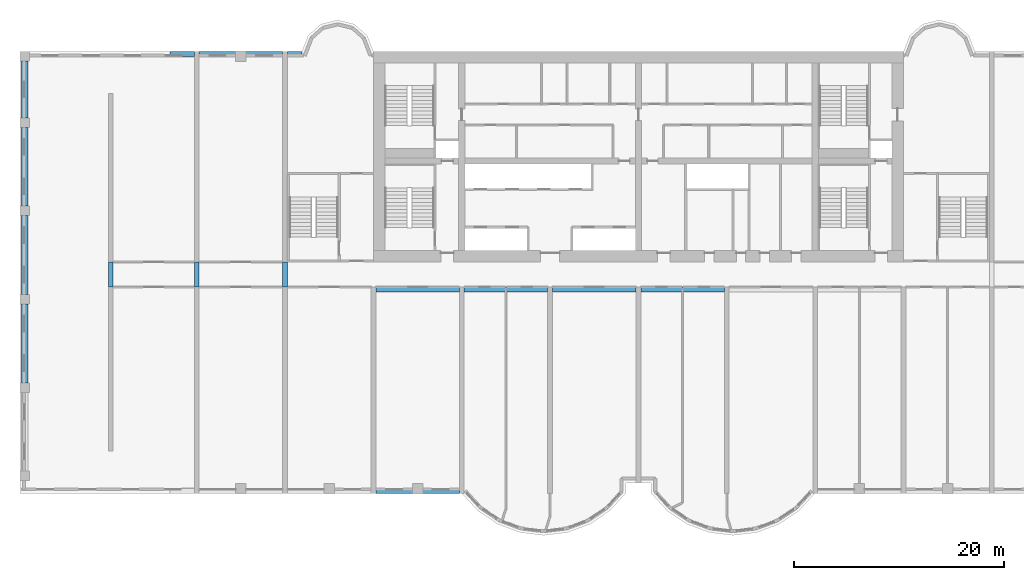
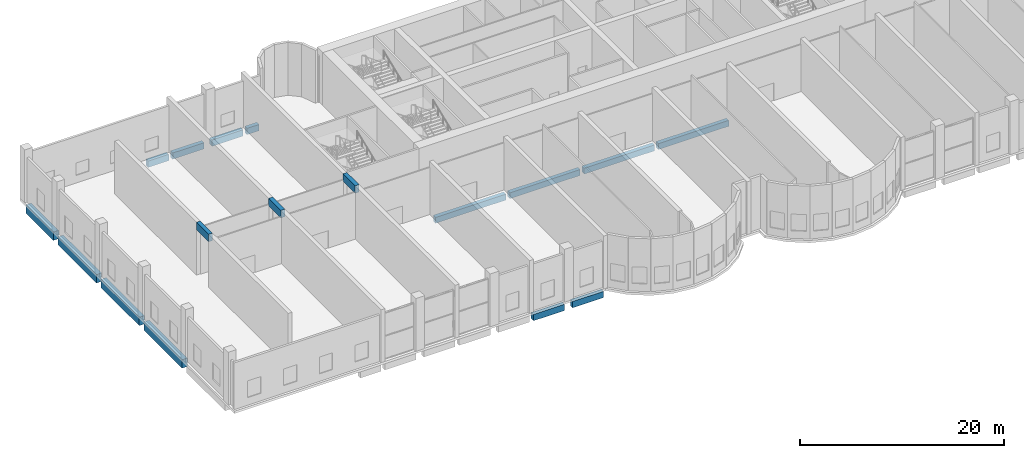
# One storey, part 3 of 15: 17 beams.
"""IFC4 building model written with IfcOpenShell, lengths in metres."""

from ifc_helpers import new_model, si_unit, direction, frame, origin, origin_2d, place, context, subcontext, project, spatial, rectangle, extrude, source, transform, mapped, material, material_profile, profile_set, type_object, element, save


model = new_model("IFC4")

# Units and contexts
model_context = context("Model", 3, precision=1e-05, world=origin(), true_north=direction((0.0, 1.0)))
body_context = subcontext(model_context, "Body", "Model", "MODEL_VIEW")
ifc_project = project(units=[si_unit("LENGTHUNIT", "METRE"), si_unit("AREAUNIT", "SQUARE_METRE"), si_unit("VOLUMEUNIT", "CUBIC_METRE"), si_unit("PLANEANGLEUNIT", "RADIAN"), si_unit("MASSUNIT", "GRAM", prefix="KILO")], contexts=[model_context])

# Site, building, storey
site_placement = place(None, origin())
site = spatial("IfcSite", under=ifc_project, at=site_placement, CompositionType="ELEMENT")
building_placement = place(site_placement, origin())
building = spatial("IfcBuilding", under=site, at=building_placement, Name="Vanashikhar Sky Hotel", CompositionType="ELEMENT")
storey_placement = place(building_placement, frame((0.0, 0.0, 11.39990234375)))
storey = spatial("IfcBuildingStorey", under=building, at=storey_placement, Name="L02", CompositionType="ELEMENT", Elevation=11.39990234375)

# Beams
ifc_material = material(Name="Concrete M50", Category="concrete")
ifc_material_profile_1 = material_profile(ifc_material, rectangle(XDim=0.449951171875, YDim=0.89990234375, at=origin_2d()))
ifc_profile_set_1 = profile_set([ifc_material_profile_1], Name="RC 450x900 beam Concrete M50")
beam_type_1 = type_object("IfcBeamType", Name="RC 450x900 beam Concrete M50", PredefinedType="LINTEL", material=ifc_profile_set_1)
shared_shape_1 = source(origin(), body_context, "Body", "SweptSolid", [
    extrude(rectangle(XDim=0.449951171875, YDim=0.89990234375, at=origin_2d()), origin(), (0.0, 0.0, 1.0), 2.39990234375),
])
for number, where, z_axis, x_axis, name in (
    (1, (0.22509765625, 19.60009765625, 5.8701171875), (0.0, 1.0, 0.0), (-1.0, 0.0, 0.0), "LB-L02-XW01"),
    (2, (8.39990234375, 19.60009765625, 5.8701171875), (0.0, 1.0, 0.0), (-1.0, 0.0, 0.0), "LB-L02-XW02"),
    (3, (16.800048828125, 19.60009765625, 5.8701171875), (0.0, 1.0, 0.0), (-1.0, 0.0, 0.0), "LB-L02-XW03"),
):
    element("IfcBeam", number, at=place(storey_placement, frame(where, z_axis=z_axis, x_axis=x_axis)), inside=storey, type_object=beam_type_1, Name=name, PredefinedType="LINTEL", context=body_context, shape_type="MappedRepresentation", body=[
        mapped(shared_shape_1, transform((0.0, 0.0, 0.0), scale=1.0)),
    ])
ifc_material_profile_2 = material_profile(ifc_material, rectangle(XDim=0.449951171875, YDim=0.75, at=origin_2d()))
ifc_profile_set_2 = profile_set([ifc_material_profile_2], Name="RC 450x750 beam Concrete M50")
beam_type_2 = type_object("IfcBeamType", Name="RC 450x750 beam Concrete M50", PredefinedType="SPANDREL", material=ifc_profile_set_2)
shared_shape_2 = source(origin(), body_context, "Body", "SweptSolid", [
    extrude(rectangle(XDim=0.449951171875, YDim=0.75, at=origin_2d()), origin(), (0.0, 0.0, 1.0), 3.52490234375),
])
for number, where, z_axis, x_axis, name in (
    (4, (25.425048828125, 0.22509765625, -0.65478515625), (1.0, 0.0, 0.0), (0.0, 1.0, 0.0), "EB-L02-F05"),
    (5, (29.85009765625, 0.22509765625, -0.65478515625), (1.0, 0.0, 0.0), (0.0, 1.0, 0.0), "EB-L02-F06"),
    (6, (8.625, 41.77490234375, -0.65478515625), (1.0, 0.0, 0.0), (0.0, 1.0, 0.0), "EB-L02-R01"),
    (7, (13.050048828125, 41.77490234375, -0.65478515625), (1.0, 0.0, 0.0), (0.0, 1.0, 0.0), "EB-L02-R02"),
):
    element("IfcBeam", number, at=place(storey_placement, frame(where, z_axis=z_axis, x_axis=x_axis)), inside=storey, type_object=beam_type_2, Name=name, PredefinedType="SPANDREL", context=body_context, shape_type="MappedRepresentation", body=[
        mapped(shared_shape_2, transform((0.0, 0.0, 0.0), scale=1.0)),
    ])
ifc_material_profile_3 = material_profile(ifc_material, rectangle(XDim=0.449951171875, YDim=0.75, at=origin_2d()))
ifc_profile_set_3 = profile_set([ifc_material_profile_3], Name="RC 450x750 cantilever beam Concrete M50")
beam_type_3 = type_object("IfcBeamType", Name="RC 450x750 cantilever beam Concrete M50", PredefinedType="SPANDREL", material=ifc_profile_set_3)
shared_shape_3 = source(origin(), body_context, "Body", "SweptSolid", [
    extrude(rectangle(XDim=0.449951171875, YDim=0.75, at=origin_2d()), origin(), (0.0, 0.0, 1.0), 2.330078125),
])
beam_1_placement = place(storey_placement, frame((5.844970703125, 41.77490234375, -0.65478515625), z_axis=(1.0, 0.0, 0.0), x_axis=(0.0, 1.0, 0.0)))
element("IfcBeam", 8, at=beam_1_placement, inside=storey, type_object=beam_type_3, Name="EB-L02-R03", PredefinedType="SPANDREL", context=body_context, shape_type="MappedRepresentation", body=[
    mapped(shared_shape_3, transform((0.0, 0.0, 0.0), scale=1.0)),
])
shared_shape_4 = source(origin(), body_context, "Body", "SweptSolid", [
    extrude(rectangle(XDim=0.449951171875, YDim=0.75, at=origin_2d()), origin(), (0.0, 0.0, 1.0), 1.375),
])
beam_2_placement = place(storey_placement, frame((17.02490234375, 41.77490234375, -0.65478515625), z_axis=(1.0, 0.0, 0.0), x_axis=(0.0, 1.0, 0.0)))
element("IfcBeam", 9, at=beam_2_placement, inside=storey, type_object=beam_type_3, Name="EB-L02-R04", PredefinedType="SPANDREL", context=body_context, shape_type="MappedRepresentation", body=[
    mapped(shared_shape_4, transform((0.0, 0.0, 0.0), scale=1.0)),
])
ifc_material_profile_4 = material_profile(ifc_material, rectangle(XDim=0.449951171875, YDim=0.699951171875, at=origin_2d()))
ifc_profile_set_4 = profile_set([ifc_material_profile_4], Name="RC 450x700 beam Concrete M50")
beam_type_4 = type_object("IfcBeamType", Name="RC 450x700 beam Concrete M50", PredefinedType="BEAM", material=ifc_profile_set_4)
shared_shape_5 = source(origin(), body_context, "Body", "SweptSolid", [
    extrude(rectangle(XDim=0.449951171875, YDim=0.699951171875, at=origin_2d()), origin(), (0.0, 0.0, 1.0), 7.949951171875),
])
for number, where, z_axis, x_axis, name in (
    (10, (25.425048828125, 19.375, -0.6298828125), (1.0, 0.0, 0.0), (0.0, 1.0, 0.0), "CB-L02-01"),
    (11, (33.824951171875, 19.375, -0.6298828125), (1.0, 0.0, 0.0), (0.0, 1.0, 0.0), "CB-L02-02"),
    (12, (42.22509765625, 19.375, -0.6298828125), (1.0, 0.0, 0.0), (0.0, 1.0, 0.0), "CB-L02-03"),
    (13, (50.625, 19.375, -0.6298828125), (1.0, 0.0, 0.0), (0.0, 1.0, 0.0), "CB-L02-04"),
):
    element("IfcBeam", number, at=place(storey_placement, frame(where, z_axis=z_axis, x_axis=x_axis)), inside=storey, type_object=beam_type_4, Name=name, PredefinedType="BEAM", context=body_context, shape_type="MappedRepresentation", body=[
        mapped(shared_shape_5, transform((0.0, 0.0, 0.0), scale=1.0)),
    ])
ifc_material_profile_5 = material_profile(ifc_material, rectangle(XDim=0.60009765625, YDim=1.0, at=origin_2d()))
ifc_profile_set_5 = profile_set([ifc_material_profile_5], Name="RC 600x1000 beam Concrete M50")
beam_type_5 = type_object("IfcBeamType", Name="RC 600x1000 beam Concrete M50", PredefinedType="SPANDREL", material=ifc_profile_set_5)
shared_shape_6 = source(origin(), body_context, "Body", "SweptSolid", [
    extrude(rectangle(XDim=0.60009765625, YDim=1.0, at=origin_2d()), origin(), (0.0, 0.0, 1.0), 7.5),
])
for number, where, z_axis, x_axis, name in (
    (14, (-7.949951171875, 10.5, -0.77978515625), (0.0, 1.0, 0.0), (-1.0, 0.0, 0.0), "EB-L02-A102"),
    (15, (-7.949951171875, 18.89990234375, -0.77978515625), (0.0, 1.0, 0.0), (-1.0, 0.0, 0.0), "EB-L02-A103"),
    (16, (-7.949951171875, 27.300048828125, -0.77978515625), (0.0, 1.0, 0.0), (-1.0, 0.0, 0.0), "EB-L02-A104"),
):
    element("IfcBeam", number, at=place(storey_placement, frame(where, z_axis=z_axis, x_axis=x_axis)), inside=storey, type_object=beam_type_5, Name=name, PredefinedType="SPANDREL", context=body_context, shape_type="MappedRepresentation", body=[
        mapped(shared_shape_6, transform((0.0, 0.0, 0.0), scale=1.0)),
    ])
shared_shape_7 = source(origin(), body_context, "Body", "SweptSolid", [
    extrude(rectangle(XDim=0.60009765625, YDim=1.0, at=origin_2d()), origin(), (0.0, 0.0, 1.0), 5.400146484375),
])
beam_3_placement = place(storey_placement, frame((-7.949951171875, 35.699951171875, -0.77978515625), z_axis=(0.0, 1.0, 0.0), x_axis=(-1.0, 0.0, 0.0)))
element("IfcBeam", 17, at=beam_3_placement, inside=storey, type_object=beam_type_5, Name="EB-L02-A105", PredefinedType="SPANDREL", context=body_context, shape_type="MappedRepresentation", body=[
    mapped(shared_shape_7, transform((0.0, 0.0, 0.0), scale=1.0)),
])

save(model, "model.ifc")
